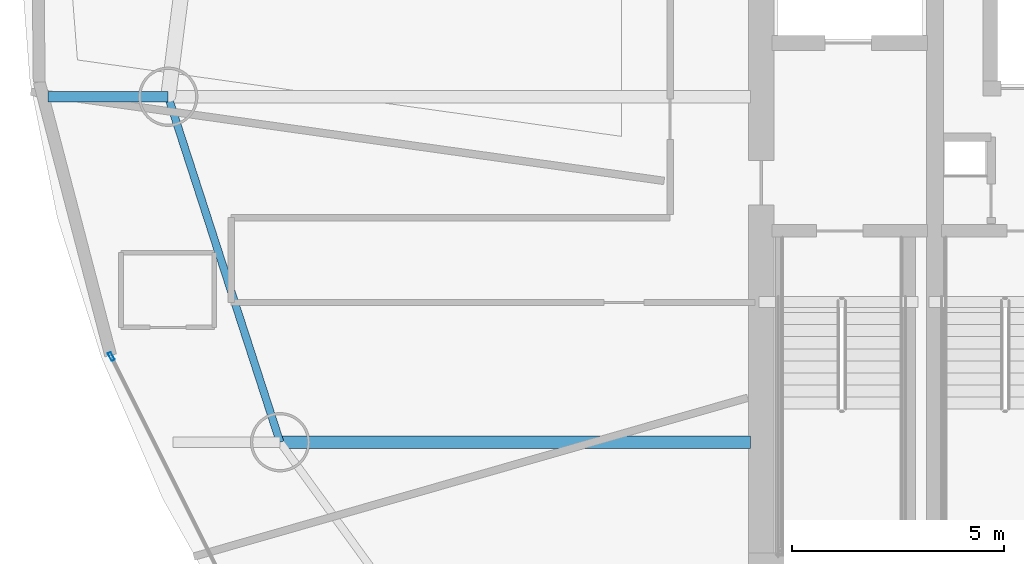
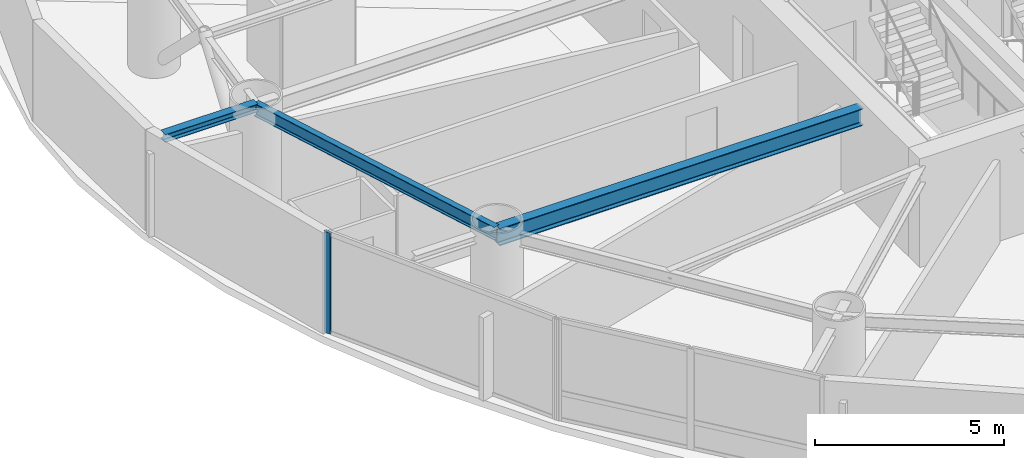
# One storey, part 4 of 24: 3 beams, 1 member, 1 element without a shape of its own.
"""IFC4 building model written with IfcOpenShell, lengths in metres."""

from ifc_helpers import new_model, si_unit, direction, frame, origin, origin_2d, place, context, subcontext, project, spatial, hollow_rectangle, i_section, extrude, material, layer, layer_set, material_profile, profile_set, type_object, element, aggregate, save


model = new_model("IFC4")

# Units and contexts
model_context = context("Model", 3, precision=1e-05, world=origin(), true_north=direction((0.0, 1.0)))
body_context = subcontext(model_context, "Body", "Model", "MODEL_VIEW")
ifc_project = project(units=[si_unit("LENGTHUNIT", "METRE"), si_unit("AREAUNIT", "SQUARE_METRE"), si_unit("VOLUMEUNIT", "CUBIC_METRE"), si_unit("PLANEANGLEUNIT", "RADIAN"), si_unit("MASSUNIT", "GRAM", prefix="KILO")], contexts=[model_context])

# Site, building, storey
site_placement = place(None, origin())
site = spatial("IfcSite", under=ifc_project, at=site_placement, CompositionType="ELEMENT")
building_placement = place(site_placement, origin())
building = spatial("IfcBuilding", under=site, at=building_placement, Name="Bramvorn Convention Spire", CompositionType="ELEMENT")
storey_placement = place(building_placement, frame((0.0, 0.0, 148.300048828125)))
storey = spatial("IfcBuildingStorey", under=building, at=storey_placement, Name="L37", CompositionType="ELEMENT", Elevation=148.300048828125)

# Beams
ifc_material_1 = material(Name="Steel CSA G40.21 Grade 350 (350W)", Category="steel")
ifc_material_profile_1 = material_profile(ifc_material_1, i_section(OverallWidth=0.25390625, OverallDepth=0.2529296875, WebThickness=0.008544921875, FlangeThickness=0.01416015625, FilletRadius=0.011962890625, at=origin_2d()))
ifc_profile_set_1 = profile_set([ifc_material_profile_1], Name="Steel CSA G40.21 Grade 350 (350W) - W250X73")
beam_type_1 = type_object("IfcBeamType", Name="BM-W250X73", PredefinedType="BEAM", material=ifc_profile_set_1)
beam_1_placement = place(storey_placement, frame((13.016357421875, 29.851806640625, 3.133544921875), z_axis=(-1.0, 0.0, 0.0), x_axis=(0.0, -1.0, 0.0)))
element("IfcBeam", 1, at=beam_1_placement, inside=storey, type_object=beam_type_1, Name="L37 slab-edge cantilever tip beam MC10", PredefinedType="BEAM", context=body_context, shape_type="SweptSolid", body=[
    extrude(i_section(OverallWidth=0.25390625, OverallDepth=0.2529296875, WebThickness=0.008544921875, FlangeThickness=0.01416015625, FilletRadius=0.011962890625, at=origin_2d()), origin(), (0.0, 0.0, 1.0), 2.839111328125),
])
ifc_material_profile_2 = material_profile(ifc_material_1, i_section(OverallWidth=0.180908203125, OverallDepth=0.4169921875, WebThickness=0.010986328125, FlangeThickness=0.018310546875, FilletRadius=0.01611328125, at=origin_2d()))
ifc_profile_set_2 = profile_set([ifc_material_profile_2], Name="Steel CSA G40.21 Grade 350 (350W) - W410X85")
beam_type_2 = type_object("IfcBeamType", Name="BM-W410X85", PredefinedType="JOIST", material=ifc_profile_set_2)
beam_2_placement = place(storey_placement, frame((13.016357421875, 29.851806640625, 3.051513671875), z_axis=(0.308114853612, -0.951349166701, 0.0), x_axis=(0.951349166701, 0.308114853612, 0.0)))
element("IfcBeam", 2, at=beam_2_placement, inside=storey, type_object=beam_type_2, Name="L37 mega-column ring beam 10", PredefinedType="JOIST", context=body_context, shape_type="SweptSolid", body=[
    extrude(i_section(OverallWidth=0.180908203125, OverallDepth=0.4169921875, WebThickness=0.010986328125, FlangeThickness=0.018310546875, FilletRadius=0.01611328125, at=origin_2d()), origin(), (0.0, 0.0, 1.0), 8.5615234375),
])
ifc_material_profile_3 = material_profile(ifc_material_1, i_section(OverallWidth=0.2919921875, OverallDepth=0.551025390625, WebThickness=0.01513671875, FlangeThickness=0.0244140625, FilletRadius=0.01904296875, at=origin_2d()))
ifc_profile_set_3 = profile_set([ifc_material_profile_3], Name="Steel CSA G40.21 Grade 350 (350W) - W530X182")
beam_type_3 = type_object("IfcBeamType", Name="BM-W530X182", PredefinedType="BEAM", material=ifc_profile_set_3)
beam_3_placement = place(storey_placement, frame((26.75, 21.706787109375, 2.984375), z_axis=(-1.0, 0.0, 0.0), x_axis=(0.0, -1.0, 0.0)))
element("IfcBeam", 3, at=beam_3_placement, inside=storey, type_object=beam_type_3, Name="L37 radial floor girder MC11", PredefinedType="BEAM", context=body_context, shape_type="SweptSolid", body=[
    extrude(i_section(OverallWidth=0.2919921875, OverallDepth=0.551025390625, WebThickness=0.01513671875, FlangeThickness=0.0244140625, FilletRadius=0.01904296875, at=origin_2d()), origin(), (0.0, 0.0, 1.0), 11.095703125),
])

# Curtain wall, member
ifc_material_2 = material(Name="Anodised Bronze Unitised Curtain Wall", Category="aluminium")
ifc_layer = layer(ifc_material_2, 0.179931640625)
ifc_layer_set = layer_set([ifc_layer], Name="Anodised Bronze Unitised Curtain Wall - CW-HTL-FRIT")
curtain_wall_type = type_object("IfcCurtainWallType", Name="CW-HTL-FRIT", PredefinedType="USERDEFINED", material=ifc_layer_set)
curtain_wall_placement = place(storey_placement, origin())
curtain_wall = element("IfcCurtainWall", 4, at=curtain_wall_placement, inside=storey, type_object=curtain_wall_type, Name="L37 fritted glass curtain wall 16", ObjectType="UNITISED CURTAIN WALL", PredefinedType="USERDEFINED")
ifc_material_3 = material(Name="Anodised Bronze Aluminium 6063-T6", Category="aluminium")
ifc_material_profile_4 = material_profile(ifc_material_3, hollow_rectangle(XDim=0.080078125, YDim=0.199951171875, WallThickness=0.00390625, InnerFilletRadius=0.0009765625, OuterFilletRadius=0.00390625, at=origin_2d()))
ifc_profile_set_4 = profile_set([ifc_material_profile_4], Name="Anodised Bronze Aluminium 6063-T6 - CWM80X200")
member_type = type_object("IfcMemberType", Name="CW-MUL-180", PredefinedType="MULLION", material=ifc_profile_set_4)
member_placement = place(storey_placement, frame((11.672607421875, 23.72802734375, 0.0), z_axis=(0.0, 0.0, 1.0), x_axis=(-0.894742390492, -0.446582640343, 0.0)))
member = element("IfcMember", 5, at=member_placement, type_object=member_type, Name="CW2 mullion 2", PredefinedType="MULLION", context=body_context, shape_type="SweptSolid", body=[
    extrude(hollow_rectangle(XDim=0.080078125, YDim=0.199951171875, WallThickness=0.00390625, InnerFilletRadius=0.0009765625, OuterFilletRadius=0.00390625, at=origin_2d()), origin(), (0.0, 0.0, 1.0), 3.260009765625),
])
aggregate(curtain_wall, [member])

save(model, "model.ifc")
